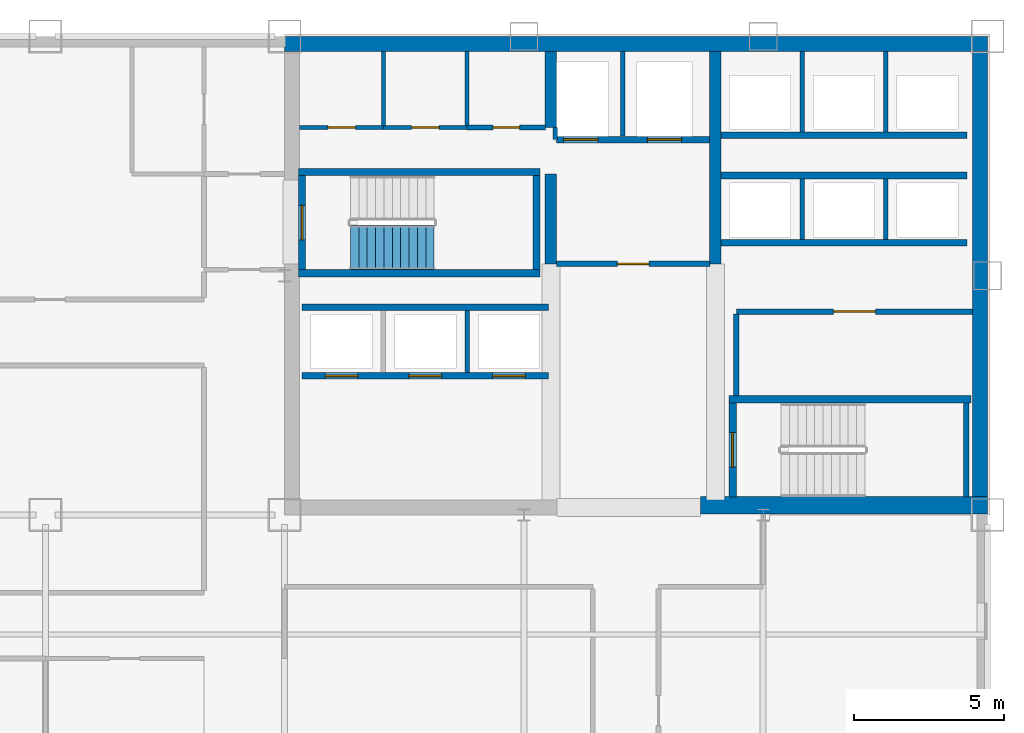
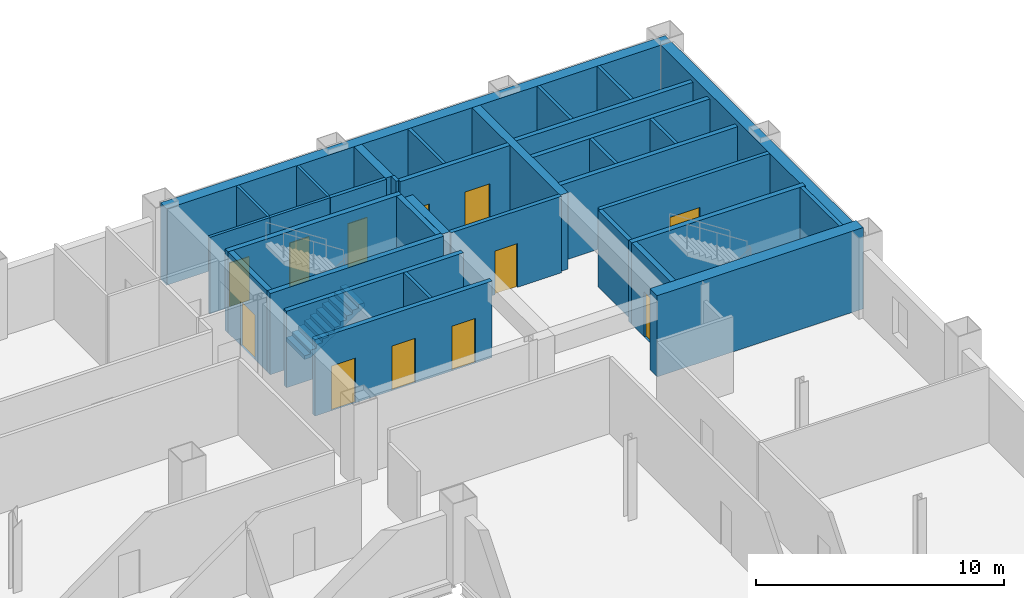
# One storey, part 7 of 10: 34 walls, 12 doors, 1 stair flight, 12 openings, 1 element without a shape of its own.
"""IFC4 building model written with IfcOpenShell, lengths in metres."""

from ifc_helpers import new_model, si_unit, direction, frame, frame_2d, origin, place, context, subcontext, project, spatial, polyline, rectangle, outline, extrude, material, layer, layer_set, type_object, element, fill, aggregate, save


model = new_model("IFC4")

# Units and contexts
model_context = context("Model", 3, precision=1e-05, world=origin(), true_north=direction((0.0, 1.0)))
body_context = subcontext(model_context, "Body", "Model", "MODEL_VIEW")
ifc_project = project(units=[si_unit("LENGTHUNIT", "METRE"), si_unit("AREAUNIT", "SQUARE_METRE"), si_unit("VOLUMEUNIT", "CUBIC_METRE"), si_unit("PLANEANGLEUNIT", "RADIAN"), si_unit("MASSUNIT", "GRAM", prefix="KILO")], contexts=[model_context])

# Site, building, storey
site_placement = place(None, origin())
site = spatial("IfcSite", under=ifc_project, at=site_placement, CompositionType="ELEMENT")
building_placement = place(site_placement, origin())
building = spatial("IfcBuilding", under=site, at=building_placement, Name="Qianrong Seaharbour Tower", CompositionType="ELEMENT")
storey_placement = place(building_placement, frame((0.0, 0.0, 171.0)))
storey = spatial("IfcBuildingStorey", under=building, at=storey_placement, Name="L41", CompositionType="ELEMENT", Elevation=171.0)

# Walls
ifc_material_1 = material(Name="Concrete C60/75", Category="concrete")
ifc_layer_1 = layer(ifc_material_1, 0.5)
ifc_layer_set_1 = layer_set([ifc_layer_1], Name="Concrete C60/75")
wall_type_1 = type_object("IfcWallType", Name="WALL-CORE-500", PredefinedType="SHEAR", material=ifc_layer_set_1)
wall_1_placement = place(storey_placement, frame((40.5, 51.75, 0.0), z_axis=(0.0, 0.0, 1.0), x_axis=(1.0, 0.0, 0.0)))
element("IfcWall", 1, at=wall_1_placement, inside=storey, type_object=wall_type_1, Name="L41 North Core Shear Wall", PredefinedType="SHEAR", context=body_context, shape_type="SweptSolid", body=[
    extrude(rectangle(XDim=23.5, YDim=0.5, at=frame_2d((11.75, 0.0))), origin(), (0.0, 0.0, 1.0), 3.764892578125),
])
wall_2_placement = place(storey_placement, frame((63.75, 36.320068359375, 0.0), z_axis=(0.0, 0.0, 1.0), x_axis=(0.0, 1.0, 0.0)))
element("IfcWall", 2, at=wall_2_placement, inside=storey, type_object=wall_type_1, Name="L41 East Core Shear Wall", PredefinedType="SHEAR", context=body_context, shape_type="SweptSolid", body=[
    extrude(rectangle(XDim=15.179931640625, YDim=0.5, at=frame_2d((7.58984375, 0.0))), origin(), (0.0, 0.0, 1.0), 3.764892578125),
])
ifc_material_2 = material(Name="Concrete C70/85", Category="concrete")
ifc_layer_2 = layer(ifc_material_2, 0.580078125)
ifc_layer_set_2 = layer_set([ifc_layer_2], Name="Concrete C70/85")
wall_type_2 = type_object("IfcWallType", Name="WALL-CORE-580", PredefinedType="SHEAR", material=ifc_layer_set_2)
wall_3_placement = place(storey_placement, frame((54.39990234375, 36.320068359375, 0.0), z_axis=(0.0, 0.0, 1.0), x_axis=(1.0, 0.0, 0.0)))
element("IfcWall", 3, at=wall_3_placement, inside=storey, type_object=wall_type_2, Name="L41 South Core Shear Wall S3", PredefinedType="SHEAR", context=body_context, shape_type="SweptSolid", body=[
    extrude(rectangle(XDim=9.60009765625, YDim=0.580078125, at=frame_2d((4.800048828125, 0.0))), origin(), (0.0, 0.0, 1.0), 4.0),
])
ifc_layer_3 = layer(ifc_material_1, 0.3798828125)
ifc_layer_set_3 = layer_set([ifc_layer_3], Name="Concrete C60/75")
wall_type_3 = type_object("IfcWallType", Name="WALL-CORE-INT-380", PredefinedType="SHEAR", material=ifc_layer_set_3)
wall_4_placement = place(storey_placement, frame((49.39990234375, 44.39990234375, 0.0), z_axis=(0.0, 0.0, 1.0), x_axis=(0.0, 1.0, 0.0)))
element("IfcWall", 4, at=wall_4_placement, inside=storey, type_object=wall_type_3, Name="L41 Internal Core Shear Wall IW1N1", PredefinedType="SHEAR", context=body_context, shape_type="SweptSolid", body=[
    extrude(rectangle(XDim=3.0, YDim=0.3798828125, at=frame_2d((1.5, 0.0))), origin(), (0.0, 0.0, 1.0), 3.764892578125),
])
wall_5_placement = place(storey_placement, frame((49.39990234375, 48.949951171875, 0.0), z_axis=(0.0, 0.0, 1.0), x_axis=(0.0, 1.0, 0.0)))
element("IfcWall", 5, at=wall_5_placement, inside=storey, type_object=wall_type_3, Name="L41 Internal Core Shear Wall IW1N2", PredefinedType="SHEAR", context=body_context, shape_type="SweptSolid", body=[
    extrude(rectangle(XDim=2.550048828125, YDim=0.3798828125, at=frame_2d((1.27490234375, 0.0))), origin(), (0.0, 0.0, 1.0), 3.764892578125),
])
wall_6_placement = place(storey_placement, frame((54.89990234375, 44.39990234375, 0.0), z_axis=(0.0, 0.0, 1.0), x_axis=(0.0, 1.0, 0.0)))
element("IfcWall", 6, at=wall_6_placement, inside=storey, type_object=wall_type_3, Name="L41 Internal Core Shear Wall IW2N", PredefinedType="SHEAR", context=body_context, shape_type="SweptSolid", body=[
    extrude(rectangle(XDim=7.10009765625, YDim=0.3798828125, at=frame_2d((3.550048828125, 0.0))), origin(), (0.0, 0.0, 1.0), 3.764892578125),
])

# Wall, opening, door
ifc_material_3 = material(Name="Fire-rated acoustic gypsum board partition")
ifc_layer_4 = layer(ifc_material_3, 0.1650390625)
ifc_layer_set_4 = layer_set([ifc_layer_4], Name="Fire-rated acoustic gypsum board partition")
wall_type_4 = type_object("IfcWallType", Name="WALL-CORR-PART-165", PredefinedType="PARTITIONING", material=ifc_layer_set_4)
wall_7_placement = place(storey_placement, frame((46.60009765625, 48.949951171875, 0.0), z_axis=(0.0, 0.0, 1.0), x_axis=(1.0, 0.0, 0.0)))
wall_7 = element("IfcWall", 7, at=wall_7_placement, inside=storey, type_object=wall_type_4, Name="L41 Interior Partition Wall 009", PredefinedType="PARTITIONING", context=body_context, shape_type="SweptSolid", body=[
    extrude(rectangle(XDim=2.617919921875, YDim=0.1650390625, at=frame_2d((1.30908203125, 0.0))), origin(), (0.0, 0.0, 1.0), 3.764892578125),
])
opening_1_placement = place(wall_7_placement, frame((0.85888671875, 0.0, 0.0)))
opening_1 = element("IfcOpeningElement", 8, at=opening_1_placement, cuts=wall_7, Name="Opening DS-01", PredefinedType="OPENING", context=body_context, shape_type="SweptSolid", body=[
    extrude(rectangle(XDim=0.89990234375, YDim=2.14990234375, at=frame_2d((0.449951171875, 1.074951171875))), frame((0.0, 0.092529296875, 0.0), z_axis=(0.0, -1.0, 0.0), x_axis=(1.0, 0.0, 0.0)), (0.0, 0.0, 1.0), 0.18505859375),
])
ifc_material_4 = material(Name="Acoustic timber and galvanized steel fire door assembly", Category="steel")
door_type_1 = type_object("IfcDoorType", Name="DOOR-STORE-900x2150", OperationType="NOTDEFINED", PredefinedType="DOOR", material=ifc_material_4)
door_1_placement = place(opening_1_placement, origin())
door_1 = element("IfcDoor", 9, at=door_1_placement, inside=storey, type_object=door_type_1, Name="L41 Cleaner Store Room Door", OperationType="SINGLE_SWING_LEFT", OverallHeight=2.14990234375, OverallWidth=0.89990234375, PredefinedType="DOOR", context=body_context, shape_type="SweptSolid", body=[
    extrude(rectangle(XDim=0.89990234375, YDim=2.14990234375, at=frame_2d((0.449951171875, 1.074951171875))), frame((0.0, 0.02490234375, 0.0), z_axis=(0.0, -1.0, 0.0), x_axis=(1.0, 0.0, 0.0)), (0.0, 0.0, 1.0), 0.050048828125),
])
fill(opening_1, door_1)

ifc_material_5 = material(Name="Double fire-rated gypsum board acoustic partition")
ifc_layer_5 = layer(ifc_material_5, 0.18994140625)
ifc_layer_set_5 = layer_set([ifc_layer_5], Name="Double fire-rated gypsum board acoustic partition")
wall_type_5 = type_object("IfcWallType", Name="WALL-FIRE-PART-190", PredefinedType="PARTITIONING", material=ifc_layer_set_5)
wall_8_placement = place(storey_placement, frame((54.718017578125, 44.39990234375, 0.0), z_axis=(0.0, 0.0, 1.0), x_axis=(-1.0, 0.0, 0.0)))
wall_8 = element("IfcWall", 10, at=wall_8_placement, inside=storey, type_object=wall_type_5, Name="L41 Interior Partition Wall 010", PredefinedType="PARTITIONING", context=body_context, shape_type="SweptSolid", body=[
    extrude(rectangle(XDim=5.135986328125, YDim=0.18994140625, at=frame_2d((2.56787109375, 0.0))), origin(), (0.0, 0.0, 1.0), 3.764892578125),
])
opening_2_placement = place(wall_8_placement, frame((2.04296875, 0.0, 0.0)))
opening_2 = element("IfcOpeningElement", 11, at=opening_2_placement, cuts=wall_8, Name="Opening DC-01", PredefinedType="OPENING", context=body_context, shape_type="SweptSolid", body=[
    extrude(rectangle(XDim=1.050048828125, YDim=2.14990234375, at=frame_2d((0.52490234375, 1.074951171875))), frame((0.0, 0.10498046875, 0.0), z_axis=(0.0, -1.0, 0.0), x_axis=(1.0, 0.0, 0.0)), (0.0, 0.0, 1.0), 0.2099609375),
])
door_type_2 = type_object("IfcDoorType", Name="DOOR-CORR-FD60-1050x2150", OperationType="NOTDEFINED", PredefinedType="DOOR", material=ifc_material_4)
door_2_placement = place(opening_2_placement, origin())
door_2 = element("IfcDoor", 12, at=door_2_placement, inside=storey, type_object=door_type_2, Name="L41 Firefighting Lift Lobby Door", OperationType="SINGLE_SWING_RIGHT", OverallHeight=2.14990234375, OverallWidth=1.050048828125, PredefinedType="DOOR", context=body_context, shape_type="SweptSolid", body=[
    extrude(rectangle(XDim=1.050048828125, YDim=2.14990234375, at=frame_2d((0.52490234375, 1.074951171875))), frame((0.0, 0.02490234375, 0.0), z_axis=(0.0, -1.0, 0.0), x_axis=(1.0, 0.0, 0.0)), (0.0, 0.0, 1.0), 0.050048828125),
])
fill(opening_2, door_2)

# Wall
wall_9_placement = place(storey_placement, frame((55.60009765625, 42.712890625, 0.0), z_axis=(0.0, 0.0, 1.0), x_axis=(0.0, -1.0, 0.0)))
element("IfcWall", 13, at=wall_9_placement, inside=storey, type_object=wall_type_5, Name="L41 Interior Partition Wall 011", PredefinedType="PARTITIONING", context=body_context, shape_type="SweptSolid", body=[
    extrude(rectangle(XDim=2.73095703125, YDim=0.18994140625, at=frame_2d((1.365478515625, 0.0))), origin(), (0.0, 0.0, 1.0), 3.764892578125),
])

# Wall, opening, door
wall_10_placement = place(storey_placement, frame((63.5, 42.800048828125, 0.0), z_axis=(0.0, 0.0, 1.0), x_axis=(-1.0, 0.0, 0.0)))
wall_10 = element("IfcWall", 14, at=wall_10_placement, inside=storey, type_object=wall_type_5, Name="L41 Interior Partition Wall 012", PredefinedType="PARTITIONING", context=body_context, shape_type="SweptSolid", body=[
    extrude(rectangle(XDim=7.89990234375, YDim=0.18994140625, at=frame_2d((3.949951171875, 0.0))), origin(), (0.0, 0.0, 1.0), 3.764892578125),
])
opening_3_placement = place(wall_10_placement, frame((3.25, 0.0, 0.0)))
opening_3 = element("IfcOpeningElement", 15, at=opening_3_placement, cuts=wall_10, Name="Opening DP-01", PredefinedType="OPENING", context=body_context, shape_type="SweptSolid", body=[
    extrude(rectangle(XDim=1.39990234375, YDim=2.25, at=frame_2d((0.699951171875, 1.125))), frame((0.0, 0.10498046875, 0.0), z_axis=(0.0, -1.0, 0.0), x_axis=(1.0, 0.0, 0.0)), (0.0, 0.0, 1.0), 0.2099609375),
])
door_type_3 = type_object("IfcDoorType", Name="DOOR-PLANT-PAIR-1400x2250", OperationType="DOUBLE_DOOR_SINGLE_SWING", PredefinedType="DOOR", material=ifc_material_4)
door_3_placement = place(opening_3_placement, origin())
door_3 = element("IfcDoor", 16, at=door_3_placement, inside=storey, type_object=door_type_3, Name="L41 Core Telecom Hub Room Door", OperationType="DOUBLE_DOOR_SINGLE_SWING", OverallHeight=2.25, OverallWidth=1.39990234375, PredefinedType="DOOR", context=body_context, shape_type="SweptSolid", body=[
    extrude(rectangle(XDim=1.39990234375, YDim=2.25, at=frame_2d((0.699951171875, 1.125))), frame((0.0, 0.02490234375, 0.0), z_axis=(0.0, -1.0, 0.0), x_axis=(1.0, 0.0, 0.0)), (0.0, 0.0, 1.0), 0.050048828125),
])
fill(opening_3, door_3)

# Walls
ifc_material_6 = material(Name="Fire-rated gypsum board on steel studs", Category="steel")
ifc_layer_6 = layer(ifc_material_6, 0.14990234375)
ifc_layer_set_6 = layer_set([ifc_layer_6], Name="Fire-rated gypsum board on steel studs")
wall_type_6 = type_object("IfcWallType", Name="WALL-SHAFT-DIV-150", PredefinedType="PARTITIONING", material=ifc_layer_set_6)
wall_11_placement = place(storey_placement, frame((51.800048828125, 48.669921875, 0.0), z_axis=(0.0, 0.0, 1.0), x_axis=(0.0, 1.0, 0.0)))
element("IfcWall", 17, at=wall_11_placement, inside=storey, type_object=wall_type_6, Name="L41 Firefighting Lift Shaft Divider Wall", PredefinedType="PARTITIONING", context=body_context, shape_type="SweptSolid", body=[
    extrude(rectangle(XDim=2.830078125, YDim=0.14990234375, at=frame_2d((1.4150390625, 0.0))), origin(), (0.0, 0.0, 1.0), 3.764892578125),
])
wall_12_placement = place(storey_placement, frame((49.550048828125, 48.550048828125, 0.0), z_axis=(0.0, 0.0, 1.0), x_axis=(0.0, 1.0, 0.0)))
element("IfcWall", 18, at=wall_12_placement, inside=storey, type_object=wall_type_6, Name="L41 Firefighting Lift Shaft West Return Wall", PredefinedType="PARTITIONING", context=body_context, shape_type="SweptSolid", body=[
    extrude(rectangle(XDim=0.39990234375, YDim=0.14990234375, at=frame_2d((0.199951171875, 0.0))), origin(), (0.0, 0.0, 1.0), 3.764892578125),
])
wall_13_placement = place(storey_placement, frame((46.60009765625, 40.760009765625, 0.0), z_axis=(0.0, 0.0, 1.0), x_axis=(0.0, 1.0, 0.0)))
element("IfcWall", 19, at=wall_13_placement, inside=storey, type_object=wall_type_6, Name="L41 P2 Lift Hoistway Divider 3", PredefinedType="PARTITIONING", context=body_context, shape_type="SweptSolid", body=[
    extrude(rectangle(XDim=2.080078125, YDim=0.14990234375, at=frame_2d((1.0400390625, 0.0))), origin(), (0.0, 0.0, 1.0), 3.764892578125),
])
for number, where, z_axis, x_axis, name in (
    (20, (57.800048828125, 45.2099609375, 0.0), (0.0, 0.0, 1.0), (0.0, 1.0, 0.0), "L41 P3 Lift Hoistway Divider 2"),
    (21, (60.60009765625, 45.2099609375, 0.0), (0.0, 0.0, 1.0), (0.0, 1.0, 0.0), "L41 P3 Lift Hoistway Divider 3"),
):
    element("IfcWall", number, at=place(storey_placement, frame(where, z_axis=z_axis, x_axis=x_axis)), inside=storey, type_object=wall_type_6, Name=name, PredefinedType="PARTITIONING", context=body_context, shape_type="SweptSolid", body=[
        extrude(rectangle(XDim=2.030029296875, YDim=0.14990234375, at=frame_2d((1.01513671875, 0.0))), origin(), (0.0, 0.0, 1.0), 3.764892578125),
    ])
for number, where, z_axis, x_axis, name in (
    (22, (57.800048828125, 48.81005859375, 0.0), (0.0, 0.0, 1.0), (0.0, 1.0, 0.0), "L41 P4 Lift Hoistway Divider 2"),
    (23, (60.60009765625, 48.81005859375, 0.0), (0.0, 0.0, 1.0), (0.0, 1.0, 0.0), "L41 P4 Lift Hoistway Divider 3"),
):
    element("IfcWall", number, at=place(storey_placement, frame(where, z_axis=z_axis, x_axis=x_axis)), inside=storey, type_object=wall_type_6, Name=name, PredefinedType="PARTITIONING", context=body_context, shape_type="SweptSolid", body=[
        extrude(rectangle(XDim=2.68994140625, YDim=0.14990234375, at=frame_2d((1.344970703125, 0.0))), origin(), (0.0, 0.0, 1.0), 3.764892578125),
    ])

# Wall, openings, doors
ifc_layer_7 = layer(ifc_material_6, 0.219970703125)
ifc_layer_set_7 = layer_set([ifc_layer_7], Name="Fire-rated gypsum board on steel studs")
wall_type_7 = type_object("IfcWallType", Name="WALL-SHAFT-GYP220", PredefinedType="PARTITIONING", material=ifc_layer_set_7)
wall_14_placement = place(storey_placement, frame((54.7099609375, 48.550048828125, 0.0), z_axis=(0.0, 0.0, 1.0), x_axis=(-1.0, 0.0, 0.0)))
wall_14 = element("IfcWall", 24, at=wall_14_placement, inside=storey, type_object=wall_type_7, Name="L41 Firefighting Lift Shaft Front Wall", PredefinedType="PARTITIONING", context=body_context, shape_type="SweptSolid", body=[
    extrude(rectangle(XDim=5.119873046875, YDim=0.219970703125, at=frame_2d((2.56005859375, 0.0))), origin(), (0.0, 0.0, 1.0), 3.764892578125),
])
opening_4_placement = place(wall_14_placement, frame((3.735107421875, 0.0, 0.0)))
opening_4 = element("IfcOpeningElement", 25, at=opening_4_placement, cuts=wall_14, Name="Opening LD-01", PredefinedType="OPENING", context=body_context, shape_type="SweptSolid", body=[
    extrude(rectangle(XDim=1.14990234375, YDim=2.199951171875, at=frame_2d((0.574951171875, 1.10009765625))), frame((0.0, 0.1201171875, 0.0), z_axis=(0.0, -1.0, 0.0), x_axis=(1.0, 0.0, 0.0)), (0.0, 0.0, 1.0), 0.239990234375),
])
opening_5_placement = place(wall_14_placement, frame((0.93505859375, 0.0, 0.0)))
opening_5 = element("IfcOpeningElement", 26, at=opening_5_placement, cuts=wall_14, Name="Opening LD-01", PredefinedType="OPENING", context=body_context, shape_type="SweptSolid", body=[
    extrude(rectangle(XDim=1.14990234375, YDim=2.199951171875, at=frame_2d((0.574951171875, 1.10009765625))), frame((0.0, 0.1201171875, 0.0), z_axis=(0.0, -1.0, 0.0), x_axis=(1.0, 0.0, 0.0)), (0.0, 0.0, 1.0), 0.239990234375),
])
ifc_material_7 = material(Name="Stainless steel SUS316L bi-parting lift landing door", Category="steel")
door_type_4 = type_object("IfcDoorType", Name="DOOR-LIFT-FF-1150x2200", OperationType="DOUBLE_DOOR_SLIDING", PredefinedType="DOOR", material=ifc_material_7)
door_4_placement = place(opening_4_placement, origin())
door_4 = element("IfcDoor", 27, at=door_4_placement, inside=storey, type_object=door_type_4, Name="L41 FL-1 Firefighting Lift Landing Door", OperationType="DOUBLE_DOOR_SLIDING", OverallHeight=2.199951171875, OverallWidth=1.14990234375, PredefinedType="DOOR", context=body_context, shape_type="SweptSolid", body=[
    extrude(rectangle(XDim=1.14990234375, YDim=2.199951171875, at=frame_2d((0.574951171875, 1.10009765625))), frame((0.0, 0.02490234375, 0.0), z_axis=(0.0, -1.0, 0.0), x_axis=(1.0, 0.0, 0.0)), (0.0, 0.0, 1.0), 0.050048828125),
])
fill(opening_4, door_4)
door_5_placement = place(opening_5_placement, origin())
door_5 = element("IfcDoor", 28, at=door_5_placement, inside=storey, type_object=door_type_4, Name="L41 FL-2 Firefighting Lift Landing Door", OperationType="DOUBLE_DOOR_SLIDING", OverallHeight=2.199951171875, OverallWidth=1.14990234375, PredefinedType="DOOR", context=body_context, shape_type="SweptSolid", body=[
    extrude(rectangle(XDim=1.14990234375, YDim=2.199951171875, at=frame_2d((0.574951171875, 1.10009765625))), frame((0.0, 0.02490234375, 0.0), z_axis=(0.0, -1.0, 0.0), x_axis=(1.0, 0.0, 0.0)), (0.0, 0.0, 1.0), 0.050048828125),
])
fill(opening_5, door_5)

wall_15_placement = place(storey_placement, frame((49.320068359375, 40.64990234375, 0.0), z_axis=(0.0, 0.0, 1.0), x_axis=(-1.0, 0.0, 0.0)))
wall_15 = element("IfcWall", 29, at=wall_15_placement, inside=storey, type_object=wall_type_7, Name="L41 P2 Lift Hoistway Front Wall", PredefinedType="PARTITIONING", context=body_context, shape_type="SweptSolid", body=[
    extrude(rectangle(XDim=8.239990234375, YDim=0.219970703125, at=frame_2d((4.1201171875, 0.0))), origin(), (0.0, 0.0, 1.0), 3.764892578125),
])
opening_6_placement = place(wall_15_placement, frame((6.3701171875, 0.0, 0.0)))
opening_6 = element("IfcOpeningElement", 30, at=opening_6_placement, cuts=wall_15, Name="Opening LD-02", PredefinedType="OPENING", context=body_context, shape_type="SweptSolid", body=[
    extrude(rectangle(XDim=1.10009765625, YDim=2.199951171875, at=frame_2d((0.550048828125, 1.10009765625))), frame((0.0, 0.1201171875, 0.0), z_axis=(0.0, -1.0, 0.0), x_axis=(1.0, 0.0, 0.0)), (0.0, 0.0, 1.0), 0.239990234375),
])
opening_7_placement = place(wall_15_placement, frame((3.570068359375, 0.0, 0.0)))
opening_7 = element("IfcOpeningElement", 31, at=opening_7_placement, cuts=wall_15, Name="Opening LD-02", PredefinedType="OPENING", context=body_context, shape_type="SweptSolid", body=[
    extrude(rectangle(XDim=1.10009765625, YDim=2.199951171875, at=frame_2d((0.550048828125, 1.10009765625))), frame((0.0, 0.1201171875, 0.0), z_axis=(0.0, -1.0, 0.0), x_axis=(1.0, 0.0, 0.0)), (0.0, 0.0, 1.0), 0.239990234375),
])
opening_8_placement = place(wall_15_placement, frame((0.77001953125, 0.0, 0.0)))
opening_8 = element("IfcOpeningElement", 32, at=opening_8_placement, cuts=wall_15, Name="Opening LD-02", PredefinedType="OPENING", context=body_context, shape_type="SweptSolid", body=[
    extrude(rectangle(XDim=1.10009765625, YDim=2.199951171875, at=frame_2d((0.550048828125, 1.10009765625))), frame((0.0, 0.1201171875, 0.0), z_axis=(0.0, -1.0, 0.0), x_axis=(1.0, 0.0, 0.0)), (0.0, 0.0, 1.0), 0.239990234375),
])
door_type_5 = type_object("IfcDoorType", Name="DOOR-LIFT-PASS-1100x2200", OperationType="DOUBLE_DOOR_SLIDING", PredefinedType="DOOR", material=ifc_material_7)
door_6_placement = place(opening_6_placement, origin())
door_6 = element("IfcDoor", 33, at=door_6_placement, inside=storey, type_object=door_type_5, Name="L41 PL-2A Lift Landing Door", OperationType="DOUBLE_DOOR_SLIDING", OverallHeight=2.199951171875, OverallWidth=1.10009765625, PredefinedType="DOOR", context=body_context, shape_type="SweptSolid", body=[
    extrude(rectangle(XDim=1.10009765625, YDim=2.199951171875, at=frame_2d((0.550048828125, 1.10009765625))), frame((0.0, 0.02490234375, 0.0), z_axis=(0.0, -1.0, 0.0), x_axis=(1.0, 0.0, 0.0)), (0.0, 0.0, 1.0), 0.050048828125),
])
fill(opening_6, door_6)
door_7_placement = place(opening_7_placement, origin())
door_7 = element("IfcDoor", 34, at=door_7_placement, inside=storey, type_object=door_type_5, Name="L41 PL-2B Lift Landing Door", OperationType="DOUBLE_DOOR_SLIDING", OverallHeight=2.199951171875, OverallWidth=1.10009765625, PredefinedType="DOOR", context=body_context, shape_type="SweptSolid", body=[
    extrude(rectangle(XDim=1.10009765625, YDim=2.199951171875, at=frame_2d((0.550048828125, 1.10009765625))), frame((0.0, 0.02490234375, 0.0), z_axis=(0.0, -1.0, 0.0), x_axis=(1.0, 0.0, 0.0)), (0.0, 0.0, 1.0), 0.050048828125),
])
fill(opening_7, door_7)
door_8_placement = place(opening_8_placement, origin())
door_8 = element("IfcDoor", 35, at=door_8_placement, inside=storey, type_object=door_type_5, Name="L41 PL-2C Lift Landing Door", OperationType="DOUBLE_DOOR_SLIDING", OverallHeight=2.199951171875, OverallWidth=1.10009765625, PredefinedType="DOOR", context=body_context, shape_type="SweptSolid", body=[
    extrude(rectangle(XDim=1.10009765625, YDim=2.199951171875, at=frame_2d((0.550048828125, 1.10009765625))), frame((0.0, 0.02490234375, 0.0), z_axis=(0.0, -1.0, 0.0), x_axis=(1.0, 0.0, 0.0)), (0.0, 0.0, 1.0), 0.050048828125),
])
fill(opening_8, door_8)

# Walls
for number, where, z_axis, x_axis, name in (
    (36, (41.080078125, 42.949951171875, 0.0), (0.0, 0.0, 1.0), (1.0, 0.0, 0.0), "L41 P2 Lift Hoistway Back Wall"),
    (37, (63.320068359375, 45.10009765625, 0.0), (0.0, 0.0, 1.0), (-1.0, 0.0, 0.0), "L41 P3 Lift Hoistway Front Wall"),
    (38, (55.080078125, 47.35009765625, 0.0), (0.0, 0.0, 1.0), (1.0, 0.0, 0.0), "L41 P3 Lift Hoistway Back Wall"),
    (39, (63.320068359375, 48.699951171875, 0.0), (0.0, 0.0, 1.0), (-1.0, 0.0, 0.0), "L41 P4 Lift Hoistway Front Wall"),
):
    element("IfcWall", number, at=place(storey_placement, frame(where, z_axis=z_axis, x_axis=x_axis)), inside=storey, type_object=wall_type_7, Name=name, PredefinedType="PARTITIONING", context=body_context, shape_type="SweptSolid", body=[
        extrude(rectangle(XDim=8.239990234375, YDim=0.219970703125, at=frame_2d((4.1201171875, 0.0))), origin(), (0.0, 0.0, 1.0), 3.764892578125),
    ])
ifc_material_8 = material(Name="Concrete C50/60", Category="concrete")
ifc_layer_8 = layer(ifc_material_8, 0.239990234375)
ifc_layer_set_8 = layer_set([ifc_layer_8], Name="Concrete C50/60")
wall_type_8 = type_object("IfcWallType", Name="WALL-SHAFT-RC240", PredefinedType="SOLIDWALL", material=ifc_layer_set_8)
for number, where, z_axis, x_axis, name in (
    (40, (40.9599609375, 47.469970703125, 0.0), (0.0, 0.0, 1.0), (1.0, 0.0, 0.0), "L41 ST-1 Structural Stair Core Wall N"),
    (41, (49.0400390625, 44.080078125, 0.0), (0.0, 0.0, 1.0), (-1.0, 0.0, 0.0), "L41 ST-1 Structural Stair Core Wall S"),
):
    element("IfcWall", number, at=place(storey_placement, frame(where, z_axis=z_axis, x_axis=x_axis)), inside=storey, type_object=wall_type_8, Name=name, PredefinedType="SOLIDWALL", context=body_context, shape_type="SweptSolid", body=[
        extrude(rectangle(XDim=8.080078125, YDim=0.239990234375, at=frame_2d((4.0400390625, 0.0))), origin(), (0.0, 0.0, 1.0), 4.0),
    ])

# Wall, opening, door
wall_16_placement = place(storey_placement, frame((41.080078125, 47.35009765625, 0.0), z_axis=(0.0, 0.0, 1.0), x_axis=(0.0, -1.0, 0.0)))
wall_16 = element("IfcWall", 42, at=wall_16_placement, inside=storey, type_object=wall_type_8, Name="L41 ST-1 Structural Stair Core Wall W", PredefinedType="SOLIDWALL", context=body_context, shape_type="SweptSolid", body=[
    extrude(rectangle(XDim=3.150146484375, YDim=0.239990234375, at=frame_2d((1.5751953125, 0.0))), origin(), (0.0, 0.0, 1.0), 4.0),
])
opening_9_placement = place(wall_16_placement, frame((1.0, 0.0, 0.0)))
opening_9 = element("IfcOpeningElement", 43, at=opening_9_placement, cuts=wall_16, Name="Opening SD-01", PredefinedType="OPENING", context=body_context, shape_type="SweptSolid", body=[
    extrude(rectangle(XDim=1.14990234375, YDim=2.199951171875, at=frame_2d((0.574951171875, 1.10009765625))), frame((0.0, 0.1298828125, 0.0), z_axis=(0.0, -1.0, 0.0), x_axis=(1.0, 0.0, 0.0)), (0.0, 0.0, 1.0), 0.260009765625),
])
door_type_6 = type_object("IfcDoorType", Name="DOOR-STAIR-FD60-1150x2200", OperationType="NOTDEFINED", PredefinedType="DOOR", material=ifc_material_4)
door_9_placement = place(opening_9_placement, origin())
door_9 = element("IfcDoor", 44, at=door_9_placement, inside=storey, type_object=door_type_6, Name="L41 ST-1 Protected Stair Door", OperationType="SINGLE_SWING_RIGHT", OverallHeight=2.199951171875, OverallWidth=1.14990234375, PredefinedType="DOOR", context=body_context, shape_type="SweptSolid", body=[
    extrude(rectangle(XDim=1.14990234375, YDim=2.199951171875, at=frame_2d((0.574951171875, 1.10009765625))), frame((0.0, 0.02490234375, 0.0), z_axis=(0.0, -1.0, 0.0), x_axis=(1.0, 0.0, 0.0)), (0.0, 0.0, 1.0), 0.050048828125),
])
fill(opening_9, door_9)

# Walls
wall_17_placement = place(storey_placement, frame((48.919921875, 44.199951171875, 0.0), z_axis=(0.0, 0.0, 1.0), x_axis=(0.0, 1.0, 0.0)))
element("IfcWall", 45, at=wall_17_placement, inside=storey, type_object=wall_type_8, Name="L41 ST-1 Structural Stair Core Wall E", PredefinedType="SOLIDWALL", context=body_context, shape_type="SweptSolid", body=[
    extrude(rectangle(XDim=3.150146484375, YDim=0.239990234375, at=frame_2d((1.5751953125, 0.0))), origin(), (0.0, 0.0, 1.0), 4.0),
])
wall_18_placement = place(storey_placement, frame((55.360107421875, 39.8701171875, 0.0), z_axis=(0.0, 0.0, 1.0), x_axis=(1.0, 0.0, 0.0)))
element("IfcWall", 46, at=wall_18_placement, inside=storey, type_object=wall_type_8, Name="L41 ST-2 Structural Stair Core Wall N", PredefinedType="SOLIDWALL", context=body_context, shape_type="SweptSolid", body=[
    extrude(rectangle(XDim=8.079833984375, YDim=0.239990234375, at=frame_2d((4.0400390625, 0.0))), origin(), (0.0, 0.0, 1.0), 4.0),
])

# Wall, opening, door
wall_19_placement = place(storey_placement, frame((55.47998046875, 39.75, 0.0), z_axis=(0.0, 0.0, 1.0), x_axis=(0.0, -1.0, 0.0)))
wall_19 = element("IfcWall", 47, at=wall_19_placement, inside=storey, type_object=wall_type_8, Name="L41 ST-2 Structural Stair Core Wall W", PredefinedType="SOLIDWALL", context=body_context, shape_type="SweptSolid", body=[
    extrude(rectangle(XDim=3.14990234375, YDim=0.239990234375, at=frame_2d((1.574951171875, 0.0))), origin(), (0.0, 0.0, 1.0), 4.0),
])
opening_10_placement = place(wall_19_placement, frame((1.0, 0.0, 0.0)))
opening_10 = element("IfcOpeningElement", 48, at=opening_10_placement, cuts=wall_19, Name="Opening SD-01", PredefinedType="OPENING", context=body_context, shape_type="SweptSolid", body=[
    extrude(rectangle(XDim=1.14990234375, YDim=2.199951171875, at=frame_2d((0.574951171875, 1.10009765625))), frame((0.0, 0.1298828125, 0.0), z_axis=(0.0, -1.0, 0.0), x_axis=(1.0, 0.0, 0.0)), (0.0, 0.0, 1.0), 0.260009765625),
])
door_10_placement = place(opening_10_placement, origin())
door_10 = element("IfcDoor", 49, at=door_10_placement, inside=storey, type_object=door_type_6, Name="L41 ST-2 Protected Stair Door", OperationType="SINGLE_SWING_RIGHT", OverallHeight=2.199951171875, OverallWidth=1.14990234375, PredefinedType="DOOR", context=body_context, shape_type="SweptSolid", body=[
    extrude(rectangle(XDim=1.14990234375, YDim=2.199951171875, at=frame_2d((0.574951171875, 1.10009765625))), frame((0.0, 0.02490234375, 0.0), z_axis=(0.0, -1.0, 0.0), x_axis=(1.0, 0.0, 0.0)), (0.0, 0.0, 1.0), 0.050048828125),
])
fill(opening_10, door_10)

# Wall
wall_20_placement = place(storey_placement, frame((63.2900390625, 36.60009765625, 0.0), z_axis=(0.0, 0.0, 1.0), x_axis=(0.0, 1.0, 0.0)))
element("IfcWall", 50, at=wall_20_placement, inside=storey, type_object=wall_type_8, Name="L41 ST-2 Structural Stair Core Wall E", PredefinedType="SOLIDWALL", context=body_context, shape_type="SweptSolid", body=[
    extrude(rectangle(XDim=3.14990234375, YDim=0.179931640625, at=frame_2d((1.574951171875, 0.0))), origin(), (0.0, 0.0, 1.0), 4.0),
])

# Wall, opening, door
ifc_material_9 = material(Name="Water-resistant cement board sanitary partition")
ifc_layer_9 = layer(ifc_material_9, 0.1298828125)
ifc_layer_set_9 = layer_set([ifc_layer_9], Name="Water-resistant cement board sanitary partition")
wall_type_9 = type_object("IfcWallType", Name="WALL-WET-PART-130", PredefinedType="PARTITIONING", material=ifc_layer_set_9)
wall_21_placement = place(storey_placement, frame((41.0, 48.949951171875, 0.0), z_axis=(0.0, 0.0, 1.0), x_axis=(1.0, 0.0, 0.0)))
wall_21 = element("IfcWall", 51, at=wall_21_placement, inside=storey, type_object=wall_type_9, Name="L41 Interior Partition Wall 007", PredefinedType="PARTITIONING", context=body_context, shape_type="SweptSolid", body=[
    extrude(rectangle(XDim=2.800048828125, YDim=0.1298828125, at=frame_2d((1.39990234375, 0.0))), origin(), (0.0, 0.0, 1.0), 3.764892578125),
])
opening_11_placement = place(wall_21_placement, frame((0.93994140625, 0.0, 0.0)))
opening_11 = element("IfcOpeningElement", 52, at=opening_11_placement, cuts=wall_21, Name="Opening DW-01", PredefinedType="OPENING", context=body_context, shape_type="SweptSolid", body=[
    extrude(rectangle(XDim=0.919921875, YDim=2.14990234375, at=frame_2d((0.4599609375, 1.074951171875))), frame((0.0, 0.074951171875, 0.0), z_axis=(0.0, -1.0, 0.0), x_axis=(1.0, 0.0, 0.0)), (0.0, 0.0, 1.0), 0.14990234375),
])
door_type_7 = type_object("IfcDoorType", Name="DOOR-WC-920x2150", OperationType="NOTDEFINED", PredefinedType="DOOR", material=ifc_material_4)
door_11_placement = place(opening_11_placement, origin())
door_11 = element("IfcDoor", 53, at=door_11_placement, inside=storey, type_object=door_type_7, Name="L41 Male Restroom WC Door", OperationType="SINGLE_SWING_LEFT", OverallHeight=2.14990234375, OverallWidth=0.919921875, PredefinedType="DOOR", context=body_context, shape_type="SweptSolid", body=[
    extrude(rectangle(XDim=0.919921875, YDim=2.14990234375, at=frame_2d((0.4599609375, 1.074951171875))), frame((0.0, 0.02490234375, 0.0), z_axis=(0.0, -1.0, 0.0), x_axis=(1.0, 0.0, 0.0)), (0.0, 0.0, 1.0), 0.050048828125),
])
fill(opening_11, door_11)

wall_22_placement = place(storey_placement, frame((43.800048828125, 48.949951171875, 0.0), z_axis=(0.0, 0.0, 1.0), x_axis=(1.0, 0.0, 0.0)))
wall_22 = element("IfcWall", 54, at=wall_22_placement, inside=storey, type_object=wall_type_9, Name="L41 Interior Partition Wall 008", PredefinedType="PARTITIONING", context=body_context, shape_type="SweptSolid", body=[
    extrude(rectangle(XDim=2.800048828125, YDim=0.1298828125, at=frame_2d((1.39990234375, 0.0))), origin(), (0.0, 0.0, 1.0), 3.764892578125),
])
opening_12_placement = place(wall_22_placement, frame((0.93994140625, 0.0, 0.0)))
opening_12 = element("IfcOpeningElement", 55, at=opening_12_placement, cuts=wall_22, Name="Opening DW-01", PredefinedType="OPENING", context=body_context, shape_type="SweptSolid", body=[
    extrude(rectangle(XDim=0.919921875, YDim=2.14990234375, at=frame_2d((0.4599609375, 1.074951171875))), frame((0.0, 0.074951171875, 0.0), z_axis=(0.0, -1.0, 0.0), x_axis=(1.0, 0.0, 0.0)), (0.0, 0.0, 1.0), 0.14990234375),
])
door_12_placement = place(opening_12_placement, origin())
door_12 = element("IfcDoor", 56, at=door_12_placement, inside=storey, type_object=door_type_7, Name="L41 Female Restroom WC Door", OperationType="SINGLE_SWING_RIGHT", OverallHeight=2.14990234375, OverallWidth=0.919921875, PredefinedType="DOOR", context=body_context, shape_type="SweptSolid", body=[
    extrude(rectangle(XDim=0.919921875, YDim=2.14990234375, at=frame_2d((0.4599609375, 1.074951171875))), frame((0.0, 0.02490234375, 0.0), z_axis=(0.0, -1.0, 0.0), x_axis=(1.0, 0.0, 0.0)), (0.0, 0.0, 1.0), 0.050048828125),
])
fill(opening_12, door_12)

# Walls
wall_23_placement = place(storey_placement, frame((43.800048828125, 51.5, 0.0), z_axis=(0.0, 0.0, 1.0), x_axis=(0.0, -1.0, 0.0)))
element("IfcWall", 57, at=wall_23_placement, inside=storey, type_object=wall_type_9, Name="L41 Interior Partition Wall 013", PredefinedType="PARTITIONING", context=body_context, shape_type="SweptSolid", body=[
    extrude(rectangle(XDim=2.492919921875, YDim=0.1298828125, at=frame_2d((1.24658203125, 0.0))), origin(), (0.0, 0.0, 1.0), 3.764892578125),
])
wall_24_placement = place(storey_placement, frame((46.60009765625, 51.5, 0.0), z_axis=(0.0, 0.0, 1.0), x_axis=(0.0, -1.0, 0.0)))
element("IfcWall", 58, at=wall_24_placement, inside=storey, type_object=wall_type_9, Name="L41 Interior Partition Wall 014", PredefinedType="PARTITIONING", context=body_context, shape_type="SweptSolid", body=[
    extrude(rectangle(XDim=2.4755859375, YDim=0.1298828125, at=frame_2d((1.23779296875, 0.0))), origin(), (0.0, 0.0, 1.0), 3.764892578125),
])

# Stair, stair flight
stair_type = type_object("IfcStairType", Name="STAIR-DOGLEG-1500-R22", PredefinedType="HALF_TURN_STAIR", material=ifc_material_8)
stair_placement = place(storey_placement, origin())
stair = element("IfcStair", 59, at=stair_placement, inside=storey, type_object=stair_type, Name="L41 Protected Escape Stair ST-1", PredefinedType="HALF_TURN_STAIR")
stair_flight_type = type_object("IfcStairFlightType", Name="FLIGHT-STR-1500-R22", PredefinedType="STRAIGHT", material=ifc_material_8)
stair_flight_placement = place(storey_placement, frame((42.699951171875, 44.949951171875, 0.0), z_axis=(0.0, 0.0, 1.0), x_axis=(1.0, 0.0, 0.0)))
stair_flight = element("IfcStairFlight", 60, at=stair_flight_placement, type_object=stair_flight_type, Name="ST-1 flight 1", NumberOfRisers=11, NumberOfTreads=10, PredefinedType="STRAIGHT", RiserHeight=0.181818182, TreadLength=0.28, context=body_context, shape_type="SweptSolid", body=[
    extrude(outline(polyline([(0.0, 0.0), (0.0, 0.181884765625), (0.280029296875, 0.181884765625), (0.280029296875, 0.363525390625), (0.56005859375, 0.363525390625), (0.56005859375, 0.54541015625), (0.840087890625, 0.54541015625), (0.840087890625, 0.727294921875), (1.1201171875, 0.727294921875), (1.1201171875, 0.9091796875), (1.39990234375, 0.9091796875), (1.39990234375, 1.0908203125), (1.679931640625, 1.0908203125), (1.679931640625, 1.272705078125), (1.9599609375, 1.272705078125), (1.9599609375, 1.45458984375), (2.239990234375, 1.45458984375), (2.239990234375, 1.636474609375), (2.52001953125, 1.636474609375), (2.52001953125, 1.818115234375), (2.800048828125, 1.818115234375), (2.800048828125, 2.0), (2.800048828125, 1.62744140625), (0.293701171875, 0.0), (0.0, 0.0)])), frame((0.0, 0.75, 0.0), z_axis=(0.0, -1.0, 0.0), x_axis=(1.0, 0.0, 0.0)), (0.0, 0.0, 1.0), 1.5),
])
aggregate(stair, [stair_flight])

save(model, "model.ifc")
